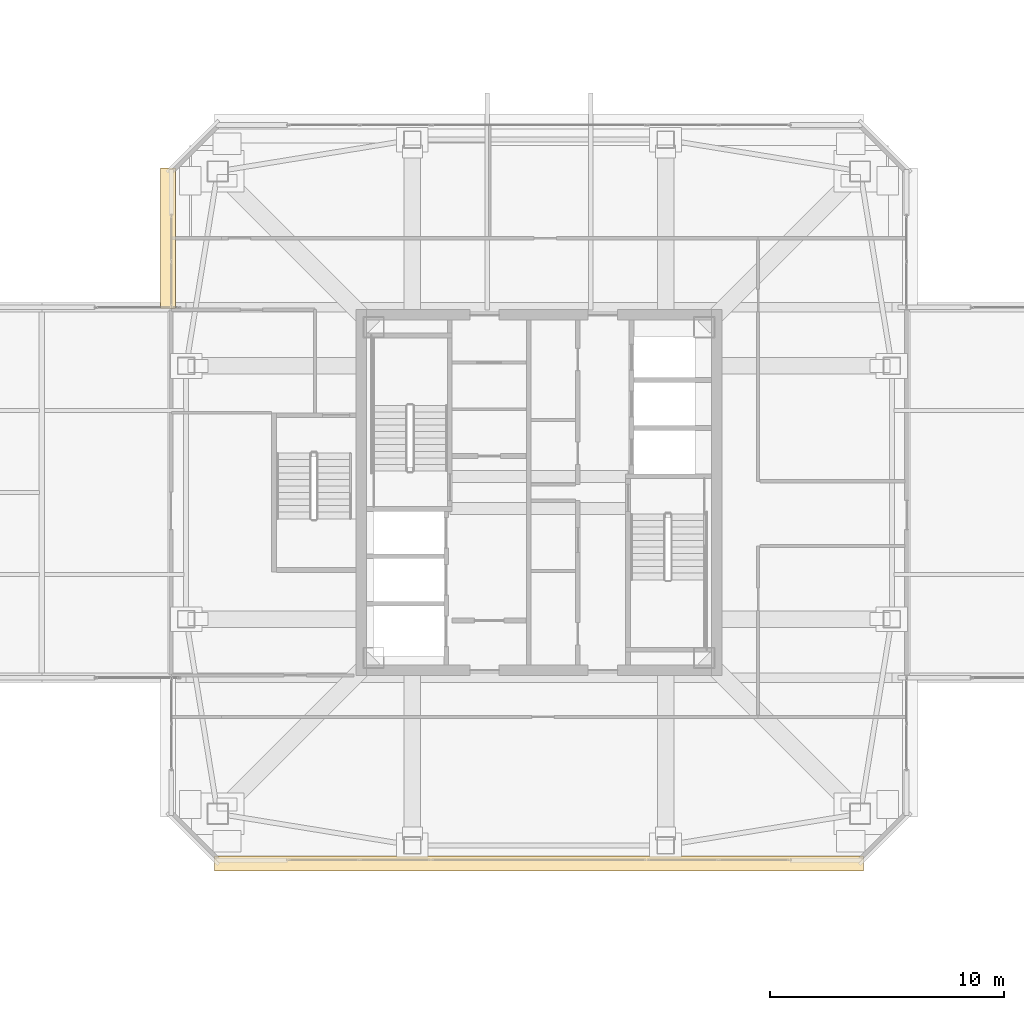
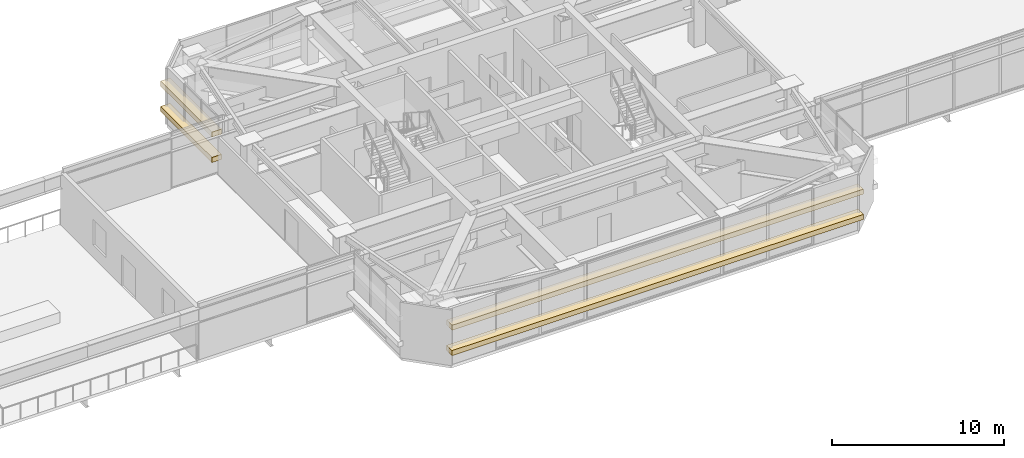
# One storey, part 47 of 51: 4 coverings.
"""IFC4 building model written with IfcOpenShell, lengths in metres."""

from ifc_helpers import new_model, si_unit, direction, frame, origin, origin_2d, place, context, subcontext, project, spatial, rectangle, extrude, material, layer, layer_set, type_object, element, save


model = new_model("IFC4")

# Units and contexts
model_context = context("Model", 3, precision=1e-05, world=origin(), true_north=direction((0.0, 1.0)))
body_context = subcontext(model_context, "Body", "Model", "MODEL_VIEW")
ifc_project = project(units=[si_unit("LENGTHUNIT", "METRE"), si_unit("AREAUNIT", "SQUARE_METRE"), si_unit("VOLUMEUNIT", "CUBIC_METRE"), si_unit("PLANEANGLEUNIT", "RADIAN"), si_unit("MASSUNIT", "GRAM", prefix="KILO")], contexts=[model_context])

# Site, building, storey
site_placement = place(None, origin())
site = spatial("IfcSite", under=ifc_project, at=site_placement, CompositionType="ELEMENT")
building_placement = place(site_placement, origin())
building = spatial("IfcBuilding", under=site, at=building_placement, Name="Tashvorn Skyway Center", CompositionType="ELEMENT")
storey_placement = place(building_placement, frame((0.0, 0.0, 259.39990234375)))
storey = spatial("IfcBuildingStorey", under=building, at=storey_placement, Name="L70", CompositionType="ELEMENT", Elevation=259.39990234375)

# Coverings
ifc_material = material(Name="Perforated ceramic-coated bronze aluminium solar screen", Category="aluminium")
ifc_layer = layer(ifc_material, 0.85009765625)
ifc_layer_set = layer_set([ifc_layer], Name="Perforated ceramic-coated bronze aluminium solar screen")
covering_type = type_object("IfcCoveringType", Name="COV-SOLAR-BAND", PredefinedType="CLADDING", material=ifc_layer_set)
for number, where, z_axis, x_axis, name in (
    (1, (42.0, 16.179931640625, 0.919921875), (0.0, 0.0, 1.0), (-1.0, 0.0, 0.0), "L70 Perforated Ceramic-Metal Solar Screen Louvre Band South 1"),
    (2, (42.0, 16.179931640625, 2.72021484375), (0.0, 0.0, 1.0), (-1.0, 0.0, 0.0), "L70 Perforated Ceramic-Metal Solar Screen Louvre Band South 2"),
):
    element("IfcCovering", number, at=place(storey_placement, frame(where, z_axis=z_axis, x_axis=x_axis)), inside=storey, type_object=covering_type, Name=name, PredefinedType="CLADDING", context=body_context, shape_type="SweptSolid", body=[
        extrude(rectangle(XDim=27.679931640625, YDim=0.639892578125, at=origin_2d()), origin(), (0.0, 0.0, 1.0), 0.360107421875),
    ])
for number, where, z_axis, x_axis, name in (
    (3, (26.179931640625, 42.840087890625, 0.919921875), (0.0, 0.0, 1.0), (0.0, 1.0, 0.0), "L70 Perforated Ceramic-Metal Solar Screen Louvre Band West 1"),
    (4, (26.179931640625, 42.840087890625, 2.72021484375), (0.0, 0.0, 1.0), (0.0, 1.0, 0.0), "L70 Perforated Ceramic-Metal Solar Screen Louvre Band West 2"),
):
    element("IfcCovering", number, at=place(storey_placement, frame(where, z_axis=z_axis, x_axis=x_axis)), inside=storey, type_object=covering_type, Name=name, PredefinedType="CLADDING", context=body_context, shape_type="SweptSolid", body=[
        extrude(rectangle(XDim=6.0, YDim=0.639892578125, at=origin_2d()), origin(), (0.0, 0.0, 1.0), 0.360107421875),
    ])

save(model, "model.ifc")
